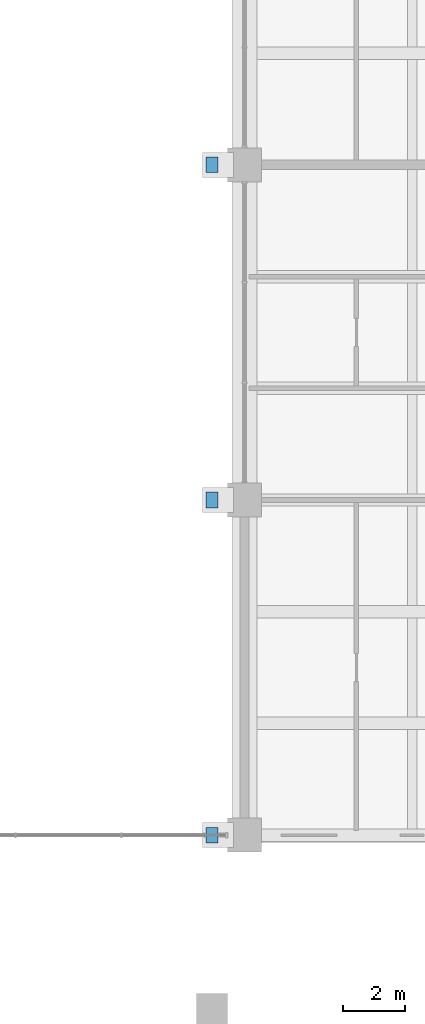
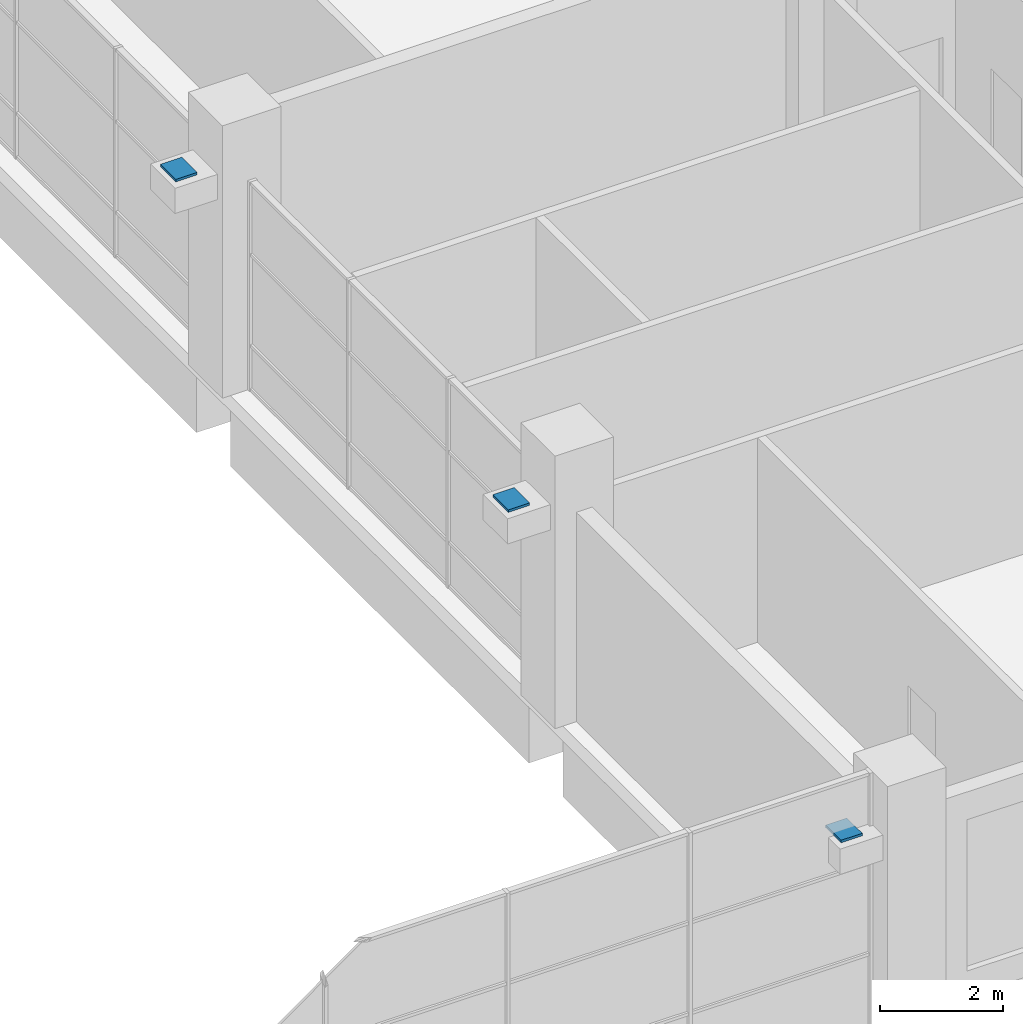
# One storey, part 28 of 38: 3 discrete accessories.
"""IFC4 building model written with IfcOpenShell, lengths in metres."""

from ifc_helpers import new_model, si_unit, direction, frame, origin, origin_2d, place, context, subcontext, project, spatial, rectangle, extrude, material, type_object, element, save


model = new_model("IFC4")

# Units and contexts
model_context = context("Model", 3, precision=1e-05, world=origin(), true_north=direction((0.0, 1.0)))
body_context = subcontext(model_context, "Body", "Model", "MODEL_VIEW")
ifc_project = project(units=[si_unit("LENGTHUNIT", "METRE"), si_unit("AREAUNIT", "SQUARE_METRE"), si_unit("VOLUMEUNIT", "CUBIC_METRE"), si_unit("PLANEANGLEUNIT", "RADIAN"), si_unit("MASSUNIT", "GRAM", prefix="KILO")], contexts=[model_context])

# Site, building, storey
site_placement = place(None, origin())
site = spatial("IfcSite", under=ifc_project, at=site_placement, CompositionType="ELEMENT")
building_placement = place(site_placement, origin())
building = spatial("IfcBuilding", under=site, at=building_placement, Name="Basin Gate Institute", CompositionType="ELEMENT")
storey_placement = place(building_placement, frame((0.0, 0.0, 16.800048828125)))
storey = spatial("IfcBuildingStorey", under=building, at=storey_placement, Name="L03", CompositionType="ELEMENT", Elevation=16.800048828125)

# Discrete accessories
ifc_material = material(Name="Stainless steel plate on PTFE sliding surface", Category="steel")
discrete_accessory_type = type_object("IfcDiscreteAccessoryType", Name="Sliding bearing BR1", PredefinedType="SHOE", material=ifc_material)
for number, where, z_axis, x_axis, name in (
    (1, (99.75, 35.10009765625, 4.35009765625), (0.0, 0.0, 1.0), (1.0, 0.0, 0.0), "Atrium shell sliding bearing 1E"),
    (2, (99.75, 45.89990234375, 4.35009765625), (0.0, 0.0, 1.0), (1.0, 0.0, 0.0), "Atrium shell sliding bearing 2E"),
    (3, (99.75, 56.699951171875, 4.35009765625), (0.0, 0.0, 1.0), (1.0, 0.0, 0.0), "Atrium shell sliding bearing 3E"),
):
    element("IfcDiscreteAccessory", number, at=place(storey_placement, frame(where, z_axis=z_axis, x_axis=x_axis)), inside=storey, type_object=discrete_accessory_type, material=ifc_material, Name=name, PredefinedType="SHOE", context=body_context, shape_type="SweptSolid", body=[
        extrude(rectangle(XDim=0.39990234375, YDim=0.5, at=origin_2d()), origin(), (0.0, 0.0, 1.0), 0.050048828125),
    ])

save(model, "model.ifc")
